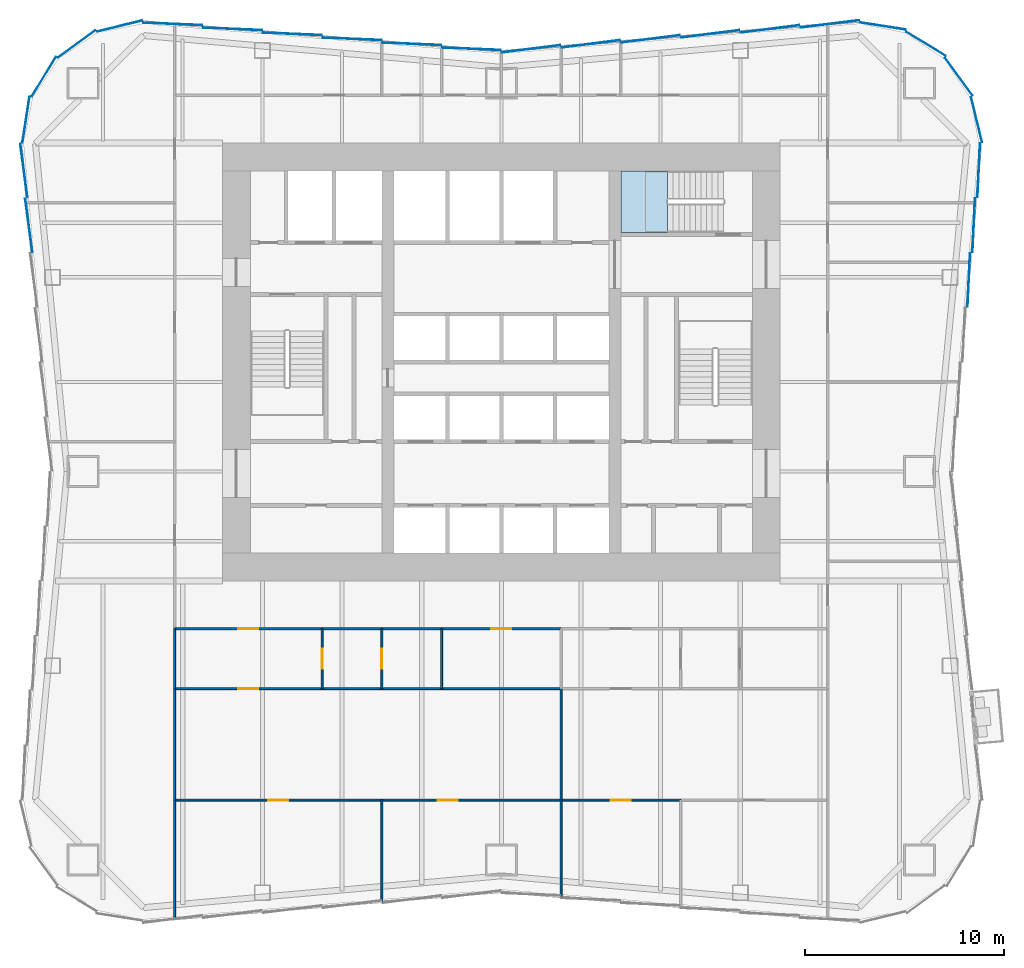
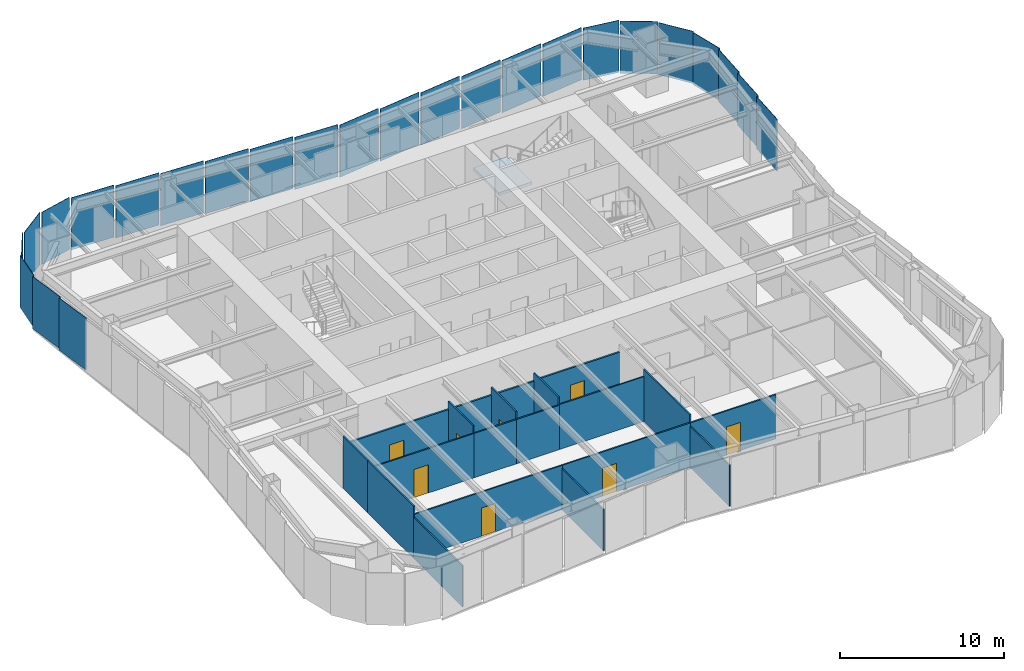
# One storey, part 3 of 9: 25 plates, 20 walls, 8 doors, 1 slab, 8 openings, 6 elements without a shape of their own.
"""IFC4 building model written with IfcOpenShell, lengths in metres."""

from ifc_helpers import new_model, si_unit, direction, frame, frame_2d, origin, origin_2d, place, context, subcontext, project, spatial, polyline, rectangle, outline, extrude, material, layer, layer_set, type_object, element, fill, aggregate, save


model = new_model("IFC4")

# Units and contexts
model_context = context("Model", 3, precision=1e-05, world=origin(), true_north=direction((0.0, 1.0)))
body_context = subcontext(model_context, "Body", "Model", "MODEL_VIEW")
ifc_project = project(units=[si_unit("LENGTHUNIT", "METRE"), si_unit("AREAUNIT", "SQUARE_METRE"), si_unit("VOLUMEUNIT", "CUBIC_METRE"), si_unit("PLANEANGLEUNIT", "RADIAN"), si_unit("MASSUNIT", "GRAM", prefix="KILO")], contexts=[model_context])

# Site, building, storey
site_placement = place(None, origin())
site = spatial("IfcSite", under=ifc_project, at=site_placement, CompositionType="ELEMENT")
building_placement = place(site_placement, origin())
building = spatial("IfcBuilding", under=site, at=building_placement, Name="Verdant Reach Tower", CompositionType="ELEMENT")
storey_placement = place(building_placement, frame((0.0, 0.0, 30.0)))
storey = spatial("IfcBuildingStorey", under=building, at=storey_placement, Name="L06", CompositionType="ELEMENT", Elevation=30.0)

# Stair, slab
ifc_material_1 = material(Name="Concrete C40/50", Category="concrete")
stair_type = type_object("IfcStairType", Name="CO-STAIR", PredefinedType="HALF_TURN_STAIR", material=ifc_material_1)
stair_placement = place(storey_placement, origin())
stair = element("IfcStair", 1, at=stair_placement, inside=storey, type_object=stair_type, Name="L06 Exit stair 3", PredefinedType="HALF_TURN_STAIR")
ifc_layer_1 = layer(ifc_material_1, 0.199951171875)
ifc_layer_set_1 = layer_set([ifc_layer_1], Name="CO-STAIR-LANDING")
slab_type = type_object("IfcSlabType", Name="CO-STAIR-LANDING", PredefinedType="LANDING", material=ifc_layer_set_1)
slab_placement = place(storey_placement, frame((0.0, 0.0, 1.800048828125)))
slab = element("IfcSlab", 2, at=slab_placement, type_object=slab_type, Name="ST-3 landing 1", PredefinedType="LANDING", context=body_context, shape_type="SweptSolid", body=[
    extrude(outline(polyline([(8.35009765625, 37.60009765625), (6.0, 37.60009765625), (6.0, 34.5), (8.35009765625, 34.5), (8.35009765625, 37.60009765625)])), origin(), (0.0, 0.0, 1.0), 0.199951171875),
])
aggregate(stair, [slab])

# Curtain wall, plate
ifc_material_2 = material(Name="Anodised aluminium", Category="aluminium")
curtain_wall_type = type_object("IfcCurtainWallType", Name="EN-CW SYSTEM Z0", PredefinedType="NOTDEFINED", material=ifc_material_2)
curtain_wall_1_placement = place(storey_placement, origin())
curtain_wall_1 = element("IfcCurtainWall", 3, at=curtain_wall_1_placement, inside=storey, type_object=curtain_wall_type, Name="Curtain wall east, L06", PredefinedType="NOTDEFINED")
ifc_material_3 = material(Name="Tinted glass with champagne spandrel", Category="glass")
ifc_layer_2 = layer(ifc_material_3, 0.031982421875)
ifc_layer_set_2 = layer_set([ifc_layer_2], Name="EN-PANEL CHAMPAGNE")
plate_type_1 = type_object("IfcPlateType", Name="EN-PANEL CHAMPAGNE", PredefinedType="CURTAIN_PANEL", material=ifc_layer_set_2)
plate_1_placement = place(storey_placement, frame((23.474609375, 32.115966796875, -0.22998046875), z_axis=(0.0, 0.0, 1.0), x_axis=(0.04875265175, 0.998810882473, 0.0)))
plate_1 = element("IfcPlate", 4, at=plate_1_placement, type_object=plate_type_1, Name="Glass panel east face part 2 4.1, L06", PredefinedType="CURTAIN_PANEL", context=body_context, shape_type="SweptSolid", body=[
    extrude(rectangle(XDim=2.705322265625, YDim=0.031982421875, at=origin_2d()), origin(), (0.0, 0.0, 1.0), 3.8798828125),
])

# Curtain wall, plates
curtain_wall_2_placement = place(storey_placement, origin())
curtain_wall_2 = element("IfcCurtainWall", 5, at=curtain_wall_2_placement, inside=storey, type_object=curtain_wall_type, Name="Curtain wall north-east corner, L06", PredefinedType="NOTDEFINED")
plate_2_placement = place(storey_placement, frame((23.86767578125, 40.169921875, -0.22998046875), z_axis=(0.0, 0.0, 1.0), x_axis=(-0.236346786246, 0.97166876899, 0.0)))
plate_2 = element("IfcPlate", 6, at=plate_2_placement, type_object=plate_type_1, Name="Glass panel north-east corner 1.1, L06", PredefinedType="CURTAIN_PANEL", context=body_context, shape_type="SweptSolid", body=[
    extrude(rectangle(XDim=2.31884765625, YDim=0.031982421875, at=origin_2d()), origin(), (0.0, 0.0, 1.0), 3.8798828125),
])
plate_3_placement = place(storey_placement, frame((22.974609375, 42.32373046875, -0.22998046875), z_axis=(0.0, 0.0, 1.0), x_axis=(-0.589926778461, 0.807456745624, 0.0)))
plate_3 = element("IfcPlate", 7, at=plate_3_placement, type_object=plate_type_1, Name="Glass panel north-east corner 2.1, L06", PredefinedType="CURTAIN_PANEL", context=body_context, shape_type="SweptSolid", body=[
    extrude(rectangle(XDim=2.32421875, YDim=0.031982421875, at=origin_2d()), origin(), (0.0, 0.0, 1.0), 3.8798828125),
])

curtain_wall_3_placement = place(storey_placement, origin())
curtain_wall_3 = element("IfcCurtainWall", 8, at=curtain_wall_3_placement, inside=storey, type_object=curtain_wall_type, Name="Curtain wall north, L06", PredefinedType="NOTDEFINED")
plate_4_placement = place(storey_placement, frame((1.495849609375, 43.724853515625, -0.22998046875), z_axis=(0.0, 0.0, 1.0), x_axis=(-0.992179679439, -0.124817802047, 0.0)))
plate_4 = element("IfcPlate", 9, at=plate_4_placement, type_object=plate_type_1, Name="Glass panel north face part 1 6.1, L06", PredefinedType="CURTAIN_PANEL", context=body_context, shape_type="SweptSolid", body=[
    extrude(rectangle(XDim=2.946044921875, YDim=0.031982421875, at=origin_2d()), origin(), (0.0, 0.0, 1.0), 3.8798828125),
])
plate_5_placement = place(storey_placement, frame((-1.495849609375, 43.724853515625, -0.22998046875), z_axis=(0.0, 0.0, 1.0), x_axis=(-0.999144450138, 0.041356592674, 0.0)))
plate_5 = element("IfcPlate", 10, at=plate_5_placement, type_object=plate_type_1, Name="Glass panel north face part 2 1.1, L06", PredefinedType="CURTAIN_PANEL", context=body_context, shape_type="SweptSolid", body=[
    extrude(rectangle(XDim=2.946044921875, YDim=0.031982421875, at=origin_2d()), origin(), (0.0, 0.0, 1.0), 3.8798828125),
])
plate_6_placement = place(storey_placement, frame((-4.49169921875, 43.974609375, -0.22998046875), z_axis=(0.0, 0.0, 1.0), x_axis=(-0.999149202059, 0.041241629766, 0.0)))
plate_6 = element("IfcPlate", 11, at=plate_6_placement, type_object=plate_type_1, Name="Glass panel north face part 2 2.1, L06", PredefinedType="CURTAIN_PANEL", context=body_context, shape_type="SweptSolid", body=[
    extrude(rectangle(XDim=2.954345703125, YDim=0.031982421875, at=origin_2d()), origin(), (0.0, 0.0, 1.0), 3.8798828125),
])

# Plate
ifc_material_4 = material(Name="Tinted glass with copper spandrel", Category="glass")
ifc_layer_3 = layer(ifc_material_4, 0.031982421875)
ifc_layer_set_3 = layer_set([ifc_layer_3], Name="EN-PANEL COPPER")
plate_type_2 = type_object("IfcPlateType", Name="EN-PANEL COPPER", PredefinedType="CURTAIN_PANEL", material=ifc_layer_set_3)
plate_7_placement = place(storey_placement, frame((23.724609375, 34.865966796875, -0.22998046875), z_axis=(0.0, 0.0, 1.0), x_axis=(0.04875265175, 0.998810882473, 0.0)))
plate_7 = element("IfcPlate", 12, at=plate_7_placement, type_object=plate_type_2, Name="Glass panel east face part 2 5.1, L06", PredefinedType="CURTAIN_PANEL", context=body_context, shape_type="SweptSolid", body=[
    extrude(rectangle(XDim=2.705322265625, YDim=0.031982421875, at=origin_2d()), origin(), (0.0, 0.0, 1.0), 3.8798828125),
])

plate_8_placement = place(storey_placement, frame((23.974609375, 37.623046875, -0.22998046875), z_axis=(0.0, 0.0, 1.0), x_axis=(0.048382779248, 0.998828867561, 0.0)))
plate_8 = element("IfcPlate", 13, at=plate_8_placement, type_object=plate_type_2, Name="Glass panel east face part 2 6.1, L06", PredefinedType="CURTAIN_PANEL", context=body_context, shape_type="SweptSolid", body=[
    extrude(rectangle(XDim=2.7197265625, YDim=0.031982421875, at=origin_2d()), origin(), (0.0, 0.0, 1.0), 3.8798828125),
])

aggregate(curtain_wall_1, [plate_1, plate_7, plate_8])

plate_9_placement = place(storey_placement, frame((21.32373046875, 43.974609375, -0.22998046875), z_axis=(0.0, 0.0, 1.0), x_axis=(-0.853988681713, 0.520291583159, 0.0)))
plate_9 = element("IfcPlate", 14, at=plate_9_placement, type_object=plate_type_2, Name="Glass panel north-east corner 3.1, L06", PredefinedType="CURTAIN_PANEL", context=body_context, shape_type="SweptSolid", body=[
    extrude(rectangle(XDim=2.32421875, YDim=0.031982421875, at=origin_2d()), origin(), (0.0, 0.0, 1.0), 3.8798828125),
])

plate_10_placement = place(storey_placement, frame((19.169921875, 44.86767578125, -0.22998046875), z_axis=(0.0, 0.0, 1.0), x_axis=(-0.98803452381, 0.154232875093, 0.0)))
plate_10 = element("IfcPlate", 15, at=plate_10_placement, type_object=plate_type_2, Name="Glass panel north-east corner 4.1, L06", PredefinedType="CURTAIN_PANEL", context=body_context, shape_type="SweptSolid", body=[
    extrude(rectangle(XDim=2.318603515625, YDim=0.031982421875, at=origin_2d()), origin(), (0.0, 0.0, 1.0), 3.8798828125),
])

aggregate(curtain_wall_2, [plate_2, plate_3, plate_9, plate_10])

plate_11_placement = place(storey_placement, frame((16.498779296875, 44.974853515625, -0.22998046875), z_axis=(0.0, 0.0, 1.0), x_axis=(-0.992234176789, -0.124383835008, 0.0)))
plate_11 = element("IfcPlate", 16, at=plate_11_placement, type_object=plate_type_2, Name="Glass panel north face part 1 1.1, L06", PredefinedType="CURTAIN_PANEL", context=body_context, shape_type="SweptSolid", body=[
    extrude(rectangle(XDim=2.96826171875, YDim=0.031982421875, at=origin_2d()), origin(), (0.0, 0.0, 1.0), 3.8798828125),
])

plate_12_placement = place(storey_placement, frame((13.49169921875, 44.724609375, -0.22998046875), z_axis=(0.0, 0.0, 1.0), x_axis=(-0.992194034542, -0.124703639961, 0.0)))
plate_12 = element("IfcPlate", 17, at=plate_12_placement, type_object=plate_type_2, Name="Glass panel north face part 1 2.1, L06", PredefinedType="CURTAIN_PANEL", context=body_context, shape_type="SweptSolid", body=[
    extrude(rectangle(XDim=2.954345703125, YDim=0.031982421875, at=origin_2d()), origin(), (0.0, 0.0, 1.0), 3.8798828125),
])

plate_13_placement = place(storey_placement, frame((10.49169921875, 44.474609375, -0.22998046875), z_axis=(0.0, 0.0, 1.0), x_axis=(-0.992194034542, -0.124703639961, 0.0)))
plate_13 = element("IfcPlate", 18, at=plate_13_placement, type_object=plate_type_2, Name="Glass panel north face part 1 3.1, L06", PredefinedType="CURTAIN_PANEL", context=body_context, shape_type="SweptSolid", body=[
    extrude(rectangle(XDim=2.954345703125, YDim=0.031982421875, at=origin_2d()), origin(), (0.0, 0.0, 1.0), 3.8798828125),
])

plate_14_placement = place(storey_placement, frame((-7.49169921875, 44.224609375, -0.22998046875), z_axis=(0.0, 0.0, 1.0), x_axis=(-0.999149202059, 0.041241629766, 0.0)))
plate_14 = element("IfcPlate", 19, at=plate_14_placement, type_object=plate_type_2, Name="Glass panel north face part 2 3.1, L06", PredefinedType="CURTAIN_PANEL", context=body_context, shape_type="SweptSolid", body=[
    extrude(rectangle(XDim=2.954345703125, YDim=0.031982421875, at=origin_2d()), origin(), (0.0, 0.0, 1.0), 3.8798828125),
])

plate_15_placement = place(storey_placement, frame((-10.49169921875, 44.474609375, -0.22998046875), z_axis=(0.0, 0.0, 1.0), x_axis=(-0.999149202059, 0.041241629766, 0.0)))
plate_15 = element("IfcPlate", 20, at=plate_15_placement, type_object=plate_type_2, Name="Glass panel north face part 2 4.1, L06", PredefinedType="CURTAIN_PANEL", context=body_context, shape_type="SweptSolid", body=[
    extrude(rectangle(XDim=2.954345703125, YDim=0.031982421875, at=origin_2d()), origin(), (0.0, 0.0, 1.0), 3.8798828125),
])

# Curtain wall, plates
curtain_wall_4_placement = place(storey_placement, origin())
curtain_wall_4 = element("IfcCurtainWall", 21, at=curtain_wall_4_placement, inside=storey, type_object=curtain_wall_type, Name="Curtain wall north-west corner, L06", PredefinedType="NOTDEFINED")
plate_16_placement = place(storey_placement, frame((-19.169921875, 44.86767578125, -0.22998046875), z_axis=(0.0, 0.0, 1.0), x_axis=(-0.97166347331, -0.236368556782, 0.0)))
plate_16 = element("IfcPlate", 22, at=plate_16_placement, type_object=plate_type_2, Name="Glass panel north-west corner 1.1, L06", PredefinedType="CURTAIN_PANEL", context=body_context, shape_type="SweptSolid", body=[
    extrude(rectangle(XDim=2.318603515625, YDim=0.031982421875, at=origin_2d()), origin(), (0.0, 0.0, 1.0), 3.8798828125),
])
plate_17_placement = place(storey_placement, frame((-21.32373046875, 43.974609375, -0.22998046875), z_axis=(0.0, 0.0, 1.0), x_axis=(-0.807456745624, -0.589926778461, 0.0)))
plate_17 = element("IfcPlate", 23, at=plate_17_placement, type_object=plate_type_2, Name="Glass panel north-west corner 2.1, L06", PredefinedType="CURTAIN_PANEL", context=body_context, shape_type="SweptSolid", body=[
    extrude(rectangle(XDim=2.32421875, YDim=0.031982421875, at=origin_2d()), origin(), (0.0, 0.0, 1.0), 3.8798828125),
])
plate_18_placement = place(storey_placement, frame((-22.974609375, 42.32373046875, -0.22998046875), z_axis=(0.0, 0.0, 1.0), x_axis=(-0.520291583159, -0.853988681713, 0.0)))
plate_18 = element("IfcPlate", 24, at=plate_18_placement, type_object=plate_type_2, Name="Glass panel north-west corner 3.1, L06", PredefinedType="CURTAIN_PANEL", context=body_context, shape_type="SweptSolid", body=[
    extrude(rectangle(XDim=2.32421875, YDim=0.031982421875, at=origin_2d()), origin(), (0.0, 0.0, 1.0), 3.8798828125),
])

# Curtain wall, plate
curtain_wall_5_placement = place(storey_placement, origin())
curtain_wall_5 = element("IfcCurtainWall", 25, at=curtain_wall_5_placement, inside=storey, type_object=curtain_wall_type, Name="Curtain wall west, L06", PredefinedType="NOTDEFINED")
plate_19_placement = place(storey_placement, frame((-23.974609375, 37.623046875, -0.22998046875), z_axis=(0.0, 0.0, 1.0), x_axis=(0.131792939527, -0.991277267514, 0.0)))
plate_19 = element("IfcPlate", 26, at=plate_19_placement, type_object=plate_type_2, Name="Glass panel west face part 1 1.1, L06", PredefinedType="CURTAIN_PANEL", context=body_context, shape_type="SweptSolid", body=[
    extrude(rectangle(XDim=2.7197265625, YDim=0.031982421875, at=origin_2d()), origin(), (0.0, 0.0, 1.0), 3.8798828125),
])

# Plate
ifc_material_5 = material(Name="Tinted glass with dark bronze spandrel", Category="glass")
ifc_layer_4 = layer(ifc_material_5, 0.031982421875)
ifc_layer_set_4 = layer_set([ifc_layer_4], Name="EN-PANEL DARK")
plate_type_3 = type_object("IfcPlateType", Name="EN-PANEL DARK", PredefinedType="CURTAIN_PANEL", material=ifc_layer_set_4)
plate_20_placement = place(storey_placement, frame((7.49169921875, 44.224609375, -0.22998046875), z_axis=(0.0, 0.0, 1.0), x_axis=(-0.992194034542, -0.124703639961, 0.0)))
plate_20 = element("IfcPlate", 27, at=plate_20_placement, type_object=plate_type_3, Name="Glass panel north face part 1 4.1, L06", PredefinedType="CURTAIN_PANEL", context=body_context, shape_type="SweptSolid", body=[
    extrude(rectangle(XDim=2.954345703125, YDim=0.031982421875, at=origin_2d()), origin(), (0.0, 0.0, 1.0), 3.8798828125),
])

plate_21_placement = place(storey_placement, frame((4.49169921875, 43.974609375, -0.22998046875), z_axis=(0.0, 0.0, 1.0), x_axis=(-0.992194034542, -0.124703639961, 0.0)))
plate_21 = element("IfcPlate", 28, at=plate_21_placement, type_object=plate_type_3, Name="Glass panel north face part 1 5.1, L06", PredefinedType="CURTAIN_PANEL", context=body_context, shape_type="SweptSolid", body=[
    extrude(rectangle(XDim=2.954345703125, YDim=0.031982421875, at=origin_2d()), origin(), (0.0, 0.0, 1.0), 3.8798828125),
])

plate_22_placement = place(storey_placement, frame((-13.49169921875, 44.724609375, -0.22998046875), z_axis=(0.0, 0.0, 1.0), x_axis=(-0.999149202059, 0.041241629766, 0.0)))
plate_22 = element("IfcPlate", 29, at=plate_22_placement, type_object=plate_type_3, Name="Glass panel north face part 2 5.1, L06", PredefinedType="CURTAIN_PANEL", context=body_context, shape_type="SweptSolid", body=[
    extrude(rectangle(XDim=2.954345703125, YDim=0.031982421875, at=origin_2d()), origin(), (0.0, 0.0, 1.0), 3.8798828125),
])

plate_23_placement = place(storey_placement, frame((-16.498779296875, 44.974853515625, -0.22998046875), z_axis=(0.0, 0.0, 1.0), x_axis=(-0.999162442933, 0.040919587398, 0.0)))
plate_23 = element("IfcPlate", 30, at=plate_23_placement, type_object=plate_type_3, Name="Glass panel north face part 2 6.1, L06", PredefinedType="CURTAIN_PANEL", context=body_context, shape_type="SweptSolid", body=[
    extrude(rectangle(XDim=2.96826171875, YDim=0.031982421875, at=origin_2d()), origin(), (0.0, 0.0, 1.0), 3.8798828125),
])

aggregate(curtain_wall_3, [plate_11, plate_12, plate_13, plate_20, plate_21, plate_4, plate_5, plate_6, plate_14, plate_15, plate_22, plate_23])

plate_24_placement = place(storey_placement, frame((-23.86767578125, 40.169921875, -0.22998046875), z_axis=(0.0, 0.0, 1.0), x_axis=(-0.154210737778, -0.988037979206, 0.0)))
plate_24 = element("IfcPlate", 31, at=plate_24_placement, type_object=plate_type_3, Name="Glass panel north-west corner 4.1, L06", PredefinedType="CURTAIN_PANEL", context=body_context, shape_type="SweptSolid", body=[
    extrude(rectangle(XDim=2.31884765625, YDim=0.031982421875, at=origin_2d()), origin(), (0.0, 0.0, 1.0), 3.8798828125),
])

aggregate(curtain_wall_4, [plate_16, plate_17, plate_18, plate_24])

plate_25_placement = place(storey_placement, frame((-23.724609375, 34.865966796875, -0.22998046875), z_axis=(0.0, 0.0, 1.0), x_axis=(0.132160009881, -0.99122839537, 0.0)))
plate_25 = element("IfcPlate", 32, at=plate_25_placement, type_object=plate_type_3, Name="Glass panel west face part 1 2.1, L06", PredefinedType="CURTAIN_PANEL", context=body_context, shape_type="SweptSolid", body=[
    extrude(rectangle(XDim=2.705322265625, YDim=0.031982421875, at=origin_2d()), origin(), (0.0, 0.0, 1.0), 3.8798828125),
])

aggregate(curtain_wall_5, [plate_19, plate_25])

# Wall, opening, door
ifc_material_6 = material(Name="Gypsum board on steel studs", Category="steel")
ifc_layer_5 = layer(ifc_material_6, 0.10009765625)
ifc_layer_set_5 = layer_set([ifc_layer_5], Name="FL-W1 Partition 100")
wall_type_1 = type_object("IfcWallType", Name="FL-W1 Partition 100", PredefinedType="PARTITIONING", material=ifc_layer_set_5)
wall_1_placement = place(storey_placement, frame((-9.0, 14.60009765625, 0.0), z_axis=(0.0, 0.0, 1.0), x_axis=(0.0, -1.0, 0.0)))
wall_1 = element("IfcWall", 33, at=wall_1_placement, inside=storey, type_object=wall_type_1, Name="Partition 06.22", PredefinedType="PARTITIONING", context=body_context, shape_type="SweptSolid", body=[
    extrude(rectangle(XDim=3.0, YDim=0.10009765625, at=frame_2d((1.5, 0.0))), origin(), (0.0, 0.0, 1.0), 3.8701171875),
])
opening_1_placement = place(wall_1_placement, frame((1.0, 0.0, 0.0)))
opening_1 = element("IfcOpeningElement", 34, at=opening_1_placement, cuts=wall_1, Name="Opening D3", PredefinedType="OPENING", context=body_context, shape_type="SweptSolid", body=[
    extrude(rectangle(XDim=1.0, YDim=2.10009765625, at=frame_2d((0.5, 1.050048828125))), frame((0.0, 0.06005859375, 0.0), z_axis=(0.0, -1.0, 0.0), x_axis=(1.0, 0.0, 0.0)), (0.0, 0.0, 1.0), 0.1201171875),
])
ifc_material_7 = material(Name="Painted timber door leaf", Category="wood")
door_type_1 = type_object("IfcDoorType", Name="FL-D3 Door 1000x2100", OperationType="NOTDEFINED", PredefinedType="DOOR", material=ifc_material_7)
door_1_placement = place(opening_1_placement, origin())
door_1 = element("IfcDoor", 35, at=door_1_placement, inside=storey, type_object=door_type_1, Name="Door 06-018", OperationType="SINGLE_SWING_RIGHT", OverallHeight=2.10009765625, OverallWidth=1.0, PredefinedType="DOOR", context=body_context, shape_type="SweptSolid", body=[
    extrude(rectangle(XDim=1.0, YDim=2.10009765625, at=frame_2d((0.5, 1.050048828125))), frame((0.0, 0.02490234375, 0.0), z_axis=(0.0, -1.0, 0.0), x_axis=(1.0, 0.0, 0.0)), (0.0, 0.0, 1.0), 0.050048828125),
])
fill(opening_1, door_1)

wall_2_placement = place(storey_placement, frame((-8.99609375, 11.60009765625, 0.0), z_axis=(0.0, 0.0, 1.0), x_axis=(-1.0, 0.0, 0.0)))
wall_2 = element("IfcWall", 36, at=wall_2_placement, inside=storey, type_object=wall_type_1, Name="Partition 06.23", PredefinedType="PARTITIONING", context=body_context, shape_type="SweptSolid", body=[
    extrude(rectangle(XDim=7.40380859375, YDim=0.10009765625, at=frame_2d((3.701904296875, 0.0))), origin(), (0.0, 0.0, 1.0), 3.2900390625),
])
opening_2_placement = place(wall_2_placement, frame((3.201904296875, 0.0, 0.0)))
opening_2 = element("IfcOpeningElement", 37, at=opening_2_placement, cuts=wall_2, Name="Opening D3", PredefinedType="OPENING", context=body_context, shape_type="SweptSolid", body=[
    extrude(rectangle(XDim=1.0, YDim=2.10009765625, at=frame_2d((0.5, 1.050048828125))), frame((0.0, 0.06005859375, 0.0), z_axis=(0.0, -1.0, 0.0), x_axis=(1.0, 0.0, 0.0)), (0.0, 0.0, 1.0), 0.1201171875),
])
door_2_placement = place(opening_2_placement, origin())
door_2 = element("IfcDoor", 38, at=door_2_placement, inside=storey, type_object=door_type_1, Name="Door 06-019", OperationType="SINGLE_SWING_LEFT", OverallHeight=2.10009765625, OverallWidth=1.0, PredefinedType="DOOR", context=body_context, shape_type="SweptSolid", body=[
    extrude(rectangle(XDim=1.0, YDim=2.10009765625, at=frame_2d((0.5, 1.050048828125))), frame((0.0, 0.02490234375, 0.0), z_axis=(0.0, -1.0, 0.0), x_axis=(1.0, 0.0, 0.0)), (0.0, 0.0, 1.0), 0.050048828125),
])
fill(opening_2, door_2)

# Wall
wall_3_placement = place(storey_placement, frame((-16.39990234375, 14.60400390625, 0.0), z_axis=(0.0, 0.0, 1.0), x_axis=(0.0, -1.0, 0.0)))
element("IfcWall", 39, at=wall_3_placement, inside=storey, type_object=wall_type_1, Name="Partition 06.24", PredefinedType="PARTITIONING", context=body_context, shape_type="SweptSolid", body=[
    extrude(rectangle(XDim=3.008056640625, YDim=0.10009765625, at=frame_2d((1.50390625, 0.0))), origin(), (0.0, 0.0, 1.0), 3.8701171875),
])

# Wall, opening, door
wall_4_placement = place(storey_placement, frame((-6.0, 14.60009765625, 0.0), z_axis=(0.0, 0.0, 1.0), x_axis=(0.0, -1.0, 0.0)))
wall_4 = element("IfcWall", 40, at=wall_4_placement, inside=storey, type_object=wall_type_1, Name="Partition 06.25", PredefinedType="PARTITIONING", context=body_context, shape_type="SweptSolid", body=[
    extrude(rectangle(XDim=3.0, YDim=0.10009765625, at=frame_2d((1.5, 0.0))), origin(), (0.0, 0.0, 1.0), 3.8701171875),
])
opening_3_placement = place(wall_4_placement, frame((1.0, 0.0, 0.0)))
opening_3 = element("IfcOpeningElement", 41, at=opening_3_placement, cuts=wall_4, Name="Opening D3", PredefinedType="OPENING", context=body_context, shape_type="SweptSolid", body=[
    extrude(rectangle(XDim=1.0, YDim=2.10009765625, at=frame_2d((0.5, 1.050048828125))), frame((0.0, 0.06005859375, 0.0), z_axis=(0.0, -1.0, 0.0), x_axis=(1.0, 0.0, 0.0)), (0.0, 0.0, 1.0), 0.1201171875),
])
door_3_placement = place(opening_3_placement, origin())
door_3 = element("IfcDoor", 42, at=door_3_placement, inside=storey, type_object=door_type_1, Name="Door 06-020", OperationType="SINGLE_SWING_RIGHT", OverallHeight=2.10009765625, OverallWidth=1.0, PredefinedType="DOOR", context=body_context, shape_type="SweptSolid", body=[
    extrude(rectangle(XDim=1.0, YDim=2.10009765625, at=frame_2d((0.5, 1.050048828125))), frame((0.0, 0.02490234375, 0.0), z_axis=(0.0, -1.0, 0.0), x_axis=(1.0, 0.0, 0.0)), (0.0, 0.0, 1.0), 0.050048828125),
])
fill(opening_3, door_3)

# Walls
wall_5_placement = place(storey_placement, frame((-9.00390625, 11.60009765625, 0.0), z_axis=(0.0, 0.0, 1.0), x_axis=(1.0, 0.0, 0.0)))
element("IfcWall", 43, at=wall_5_placement, inside=storey, type_object=wall_type_1, Name="Partition 06.26", PredefinedType="PARTITIONING", context=body_context, shape_type="SweptSolid", body=[
    extrude(rectangle(XDim=3.0078125, YDim=0.10009765625, at=frame_2d((1.50390625, 0.0))), origin(), (0.0, 0.0, 1.0), 3.2900390625),
])
wall_6_placement = place(storey_placement, frame((-3.0, 11.60009765625, 0.0), z_axis=(0.0, 0.0, 1.0), x_axis=(0.0, 1.0, 0.0)))
element("IfcWall", 44, at=wall_6_placement, inside=storey, type_object=wall_type_1, Name="Partition 06.27", PredefinedType="PARTITIONING", context=body_context, shape_type="SweptSolid", body=[
    extrude(rectangle(XDim=3.0, YDim=0.10009765625, at=frame_2d((1.5, 0.0))), origin(), (0.0, 0.0, 1.0), 3.8701171875),
])
wall_7_placement = place(storey_placement, frame((-6.00390625, 11.60009765625, 0.0), z_axis=(0.0, 0.0, 1.0), x_axis=(1.0, 0.0, 0.0)))
element("IfcWall", 45, at=wall_7_placement, inside=storey, type_object=wall_type_1, Name="Partition 06.28", PredefinedType="PARTITIONING", context=body_context, shape_type="SweptSolid", body=[
    extrude(rectangle(XDim=3.0078125, YDim=0.10009765625, at=frame_2d((1.50390625, 0.0))), origin(), (0.0, 0.0, 1.0), 3.2900390625),
])
wall_8_placement = place(storey_placement, frame((-3.00390625, 11.60009765625, 0.0), z_axis=(0.0, 0.0, 1.0), x_axis=(1.0, 0.0, 0.0)))
element("IfcWall", 46, at=wall_8_placement, inside=storey, type_object=wall_type_1, Name="Partition 06.29", PredefinedType="PARTITIONING", context=body_context, shape_type="SweptSolid", body=[
    extrude(rectangle(XDim=6.00390625, YDim=0.10009765625, at=frame_2d((3.001953125, 0.0))), origin(), (0.0, 0.0, 1.0), 3.340087890625),
])

# Wall, opening, door
wall_9_placement = place(storey_placement, frame((-6.0, 6.0, 0.0), z_axis=(0.0, 0.0, 1.0), x_axis=(-1.0, 0.0, 0.0)))
wall_9 = element("IfcWall", 47, at=wall_9_placement, inside=storey, type_object=wall_type_1, Name="Partition 06.31", PredefinedType="PARTITIONING", context=body_context, shape_type="SweptSolid", body=[
    extrude(rectangle(XDim=10.39990234375, YDim=0.10009765625, at=frame_2d((5.199951171875, 0.0))), origin(), (0.0, 0.0, 1.0), 3.2900390625),
])
opening_4_placement = place(wall_9_placement, frame((4.699951171875, 0.0, 0.0)))
opening_4 = element("IfcOpeningElement", 48, at=opening_4_placement, cuts=wall_9, Name="Opening D3", PredefinedType="OPENING", context=body_context, shape_type="SweptSolid", body=[
    extrude(rectangle(XDim=1.0, YDim=2.10009765625, at=frame_2d((0.5, 1.050048828125))), frame((0.0, 0.06005859375, 0.0), z_axis=(0.0, -1.0, 0.0), x_axis=(1.0, 0.0, 0.0)), (0.0, 0.0, 1.0), 0.1201171875),
])
door_4_placement = place(opening_4_placement, origin())
door_4 = element("IfcDoor", 49, at=door_4_placement, inside=storey, type_object=door_type_1, Name="Door 06-021", OperationType="SINGLE_SWING_LEFT", OverallHeight=2.10009765625, OverallWidth=1.0, PredefinedType="DOOR", context=body_context, shape_type="SweptSolid", body=[
    extrude(rectangle(XDim=1.0, YDim=2.10009765625, at=frame_2d((0.5, 1.050048828125))), frame((0.0, 0.02490234375, 0.0), z_axis=(0.0, -1.0, 0.0), x_axis=(1.0, 0.0, 0.0)), (0.0, 0.0, 1.0), 0.050048828125),
])
fill(opening_4, door_4)

wall_10_placement = place(storey_placement, frame((3.0, 6.0, 0.0), z_axis=(0.0, 0.0, 1.0), x_axis=(-1.0, 0.0, 0.0)))
wall_10 = element("IfcWall", 50, at=wall_10_placement, inside=storey, type_object=wall_type_1, Name="Partition 06.32", PredefinedType="PARTITIONING", context=body_context, shape_type="SweptSolid", body=[
    extrude(rectangle(XDim=9.0, YDim=0.10009765625, at=frame_2d((4.5, 0.0))), origin(), (0.0, 0.0, 1.0), 3.2900390625),
])
opening_5_placement = place(wall_10_placement, frame((5.199951171875, 0.0, 0.0)))
opening_5 = element("IfcOpeningElement", 51, at=opening_5_placement, cuts=wall_10, Name="Opening D3", PredefinedType="OPENING", context=body_context, shape_type="SweptSolid", body=[
    extrude(rectangle(XDim=1.0, YDim=2.10009765625, at=frame_2d((0.5, 1.050048828125))), frame((0.0, 0.06005859375, 0.0), z_axis=(0.0, -1.0, 0.0), x_axis=(1.0, 0.0, 0.0)), (0.0, 0.0, 1.0), 0.1201171875),
])
door_5_placement = place(opening_5_placement, origin())
door_5 = element("IfcDoor", 52, at=door_5_placement, inside=storey, type_object=door_type_1, Name="Door 06-022", OperationType="SINGLE_SWING_RIGHT", OverallHeight=2.10009765625, OverallWidth=1.0, PredefinedType="DOOR", context=body_context, shape_type="SweptSolid", body=[
    extrude(rectangle(XDim=1.0, YDim=2.10009765625, at=frame_2d((0.5, 1.050048828125))), frame((0.0, 0.02490234375, 0.0), z_axis=(0.0, -1.0, 0.0), x_axis=(1.0, 0.0, 0.0)), (0.0, 0.0, 1.0), 0.050048828125),
])
fill(opening_5, door_5)

# Walls
wall_11_placement = place(storey_placement, frame((3.0, 6.0, 0.0), z_axis=(0.0, 0.0, 1.0), x_axis=(0.0, 1.0, 0.0)))
element("IfcWall", 53, at=wall_11_placement, inside=storey, type_object=wall_type_1, Name="Partition 06.33", PredefinedType="PARTITIONING", context=body_context, shape_type="SweptSolid", body=[
    extrude(rectangle(XDim=5.60009765625, YDim=0.10009765625, at=frame_2d((2.800048828125, 0.0))), origin(), (0.0, 0.0, 1.0), 3.8701171875),
])
wall_12_placement = place(storey_placement, frame((-16.39990234375, 11.60400390625, 0.0), z_axis=(0.0, 0.0, 1.0), x_axis=(0.0, -1.0, 0.0)))
element("IfcWall", 54, at=wall_12_placement, inside=storey, type_object=wall_type_1, Name="Partition 06.34", PredefinedType="PARTITIONING", context=body_context, shape_type="SweptSolid", body=[
    extrude(rectangle(XDim=5.60791015625, YDim=0.10009765625, at=frame_2d((2.803955078125, 0.0))), origin(), (0.0, 0.0, 1.0), 3.8701171875),
])
wall_13_placement = place(storey_placement, frame((-6.0, 0.919921875, 0.0), z_axis=(0.0, 0.0, 1.0), x_axis=(0.0, 1.0, 0.0)))
element("IfcWall", 55, at=wall_13_placement, inside=storey, type_object=wall_type_1, Name="Partition 06.35", PredefinedType="PARTITIONING", context=body_context, shape_type="SweptSolid", body=[
    extrude(rectangle(XDim=5.080078125, YDim=0.10009765625, at=frame_2d((2.5400390625, 0.0))), origin(), (0.0, 0.0, 1.0), 3.0400390625),
])
wall_14_placement = place(storey_placement, frame((-16.39990234375, 6.00390625, 0.0), z_axis=(0.0, 0.0, 1.0), x_axis=(0.0, -1.0, 0.0)))
element("IfcWall", 56, at=wall_14_placement, inside=storey, type_object=wall_type_1, Name="Partition 06.36", PredefinedType="PARTITIONING", context=body_context, shape_type="SweptSolid", body=[
    extrude(rectangle(XDim=5.95068359375, YDim=0.10009765625, at=frame_2d((2.975341796875, 0.0))), origin(), (0.0, 0.0, 1.0), 3.0400390625),
])
wall_15_placement = place(storey_placement, frame((3.0, 1.169921875, 0.0), z_axis=(0.0, 0.0, 1.0), x_axis=(0.0, 1.0, 0.0)))
element("IfcWall", 57, at=wall_15_placement, inside=storey, type_object=wall_type_1, Name="Partition 06.37", PredefinedType="PARTITIONING", context=body_context, shape_type="SweptSolid", body=[
    extrude(rectangle(XDim=4.830078125, YDim=0.10009765625, at=frame_2d((2.4150390625, 0.0))), origin(), (0.0, 0.0, 1.0), 3.0400390625),
])

# Wall, opening, door
wall_16_placement = place(storey_placement, frame((9.0, 6.0, 0.0), z_axis=(0.0, 0.0, 1.0), x_axis=(-1.0, 0.0, 0.0)))
wall_16 = element("IfcWall", 58, at=wall_16_placement, inside=storey, type_object=wall_type_1, Name="Partition 06.44", PredefinedType="PARTITIONING", context=body_context, shape_type="SweptSolid", body=[
    extrude(rectangle(XDim=6.0, YDim=0.10009765625, at=frame_2d((3.0, 0.0))), origin(), (0.0, 0.0, 1.0), 3.2900390625),
])
opening_6_placement = place(wall_16_placement, frame((2.5, 0.0, 0.0)))
opening_6 = element("IfcOpeningElement", 59, at=opening_6_placement, cuts=wall_16, Name="Opening D3", PredefinedType="OPENING", context=body_context, shape_type="SweptSolid", body=[
    extrude(rectangle(XDim=1.0, YDim=2.10009765625, at=frame_2d((0.5, 1.050048828125))), frame((0.0, 0.06005859375, 0.0), z_axis=(0.0, -1.0, 0.0), x_axis=(1.0, 0.0, 0.0)), (0.0, 0.0, 1.0), 0.1201171875),
])
door_6_placement = place(opening_6_placement, origin())
door_6 = element("IfcDoor", 60, at=door_6_placement, inside=storey, type_object=door_type_1, Name="Door 06-026", OperationType="SINGLE_SWING_RIGHT", OverallHeight=2.10009765625, OverallWidth=1.0, PredefinedType="DOOR", context=body_context, shape_type="SweptSolid", body=[
    extrude(rectangle(XDim=1.0, YDim=2.10009765625, at=frame_2d((0.5, 1.050048828125))), frame((0.0, 0.02490234375, 0.0), z_axis=(0.0, -1.0, 0.0), x_axis=(1.0, 0.0, 0.0)), (0.0, 0.0, 1.0), 0.050048828125),
])
fill(opening_6, door_6)

ifc_material_8 = material(Name="Gypsum board on steel studs, fire rated", Category="steel")
ifc_layer_6 = layer(ifc_material_8, 0.125)
ifc_layer_set_6 = layer_set([ifc_layer_6], Name="FL-W2 Corridor wall 125")
wall_type_2 = type_object("IfcWallType", Name="FL-W2 Corridor wall 125", PredefinedType="PARTITIONING", material=ifc_layer_set_6)
wall_17_placement = place(storey_placement, frame((-9.0, 14.60009765625, 0.0), z_axis=(0.0, 0.0, 1.0), x_axis=(-1.0, 0.0, 0.0)))
wall_17 = element("IfcWall", 61, at=wall_17_placement, inside=storey, type_object=wall_type_2, Name="Partition 06.01", PredefinedType="PARTITIONING", context=body_context, shape_type="SweptSolid", body=[
    extrude(rectangle(XDim=7.39990234375, YDim=0.125, at=frame_2d((3.699951171875, 0.0))), origin(), (0.0, 0.0, 1.0), 3.2900390625),
])
opening_7_placement = place(wall_17_placement, frame((3.199951171875, 0.0, 0.0)))
opening_7 = element("IfcOpeningElement", 62, at=opening_7_placement, cuts=wall_17, Name="Opening D2", PredefinedType="OPENING", context=body_context, shape_type="SweptSolid", body=[
    extrude(rectangle(XDim=1.0, YDim=2.10009765625, at=frame_2d((0.5, 1.050048828125))), frame((0.0, 0.072509765625, 0.0), z_axis=(0.0, -1.0, 0.0), x_axis=(1.0, 0.0, 0.0)), (0.0, 0.0, 1.0), 0.14501953125),
])
ifc_material_9 = material(Name="Timber door leaf, fire rated", Category="wood")
door_type_2 = type_object("IfcDoorType", Name="FL-D2 Entrance door 1000x2100 FD30", OperationType="NOTDEFINED", PredefinedType="DOOR", material=ifc_material_9)
door_7_placement = place(opening_7_placement, origin())
door_7 = element("IfcDoor", 63, at=door_7_placement, inside=storey, type_object=door_type_2, Name="Door 06-001", OperationType="SINGLE_SWING_LEFT", OverallHeight=2.10009765625, OverallWidth=1.0, PredefinedType="DOOR", context=body_context, shape_type="SweptSolid", body=[
    extrude(rectangle(XDim=1.0, YDim=2.10009765625, at=frame_2d((0.5, 1.050048828125))), frame((0.0, 0.02490234375, 0.0), z_axis=(0.0, -1.0, 0.0), x_axis=(1.0, 0.0, 0.0)), (0.0, 0.0, 1.0), 0.050048828125),
])
fill(opening_7, door_7)

# Walls
for number, where, z_axis, x_axis, name in (
    (64, (-9.0, 14.60009765625, 0.0), (0.0, 0.0, 1.0), (1.0, 0.0, 0.0), "Partition 06.02"),
    (65, (-6.0, 14.60009765625, 0.0), (0.0, 0.0, 1.0), (1.0, 0.0, 0.0), "Partition 06.03"),
):
    element("IfcWall", number, at=place(storey_placement, frame(where, z_axis=z_axis, x_axis=x_axis)), inside=storey, type_object=wall_type_2, Name=name, PredefinedType="PARTITIONING", context=body_context, shape_type="SweptSolid", body=[
        extrude(rectangle(XDim=3.0, YDim=0.125, at=frame_2d((1.5, 0.0))), origin(), (0.0, 0.0, 1.0), 3.2900390625),
    ])

# Wall, opening, door
wall_18_placement = place(storey_placement, frame((3.0, 14.60009765625, 0.0), z_axis=(0.0, 0.0, 1.0), x_axis=(-1.0, 0.0, 0.0)))
wall_18 = element("IfcWall", 66, at=wall_18_placement, inside=storey, type_object=wall_type_2, Name="Partition 06.04", PredefinedType="PARTITIONING", context=body_context, shape_type="SweptSolid", body=[
    extrude(rectangle(XDim=6.0, YDim=0.125, at=frame_2d((3.0, 0.0))), origin(), (0.0, 0.0, 1.0), 3.340087890625),
])
opening_8_placement = place(wall_18_placement, frame((2.5, 0.0, 0.0)))
opening_8 = element("IfcOpeningElement", 67, at=opening_8_placement, cuts=wall_18, Name="Opening D2", PredefinedType="OPENING", context=body_context, shape_type="SweptSolid", body=[
    extrude(rectangle(XDim=1.0, YDim=2.10009765625, at=frame_2d((0.5, 1.050048828125))), frame((0.0, 0.072509765625, 0.0), z_axis=(0.0, -1.0, 0.0), x_axis=(1.0, 0.0, 0.0)), (0.0, 0.0, 1.0), 0.14501953125),
])
door_8_placement = place(opening_8_placement, origin())
door_8 = element("IfcDoor", 68, at=door_8_placement, inside=storey, type_object=door_type_2, Name="Door 06-002", OperationType="SINGLE_SWING_RIGHT", OverallHeight=2.10009765625, OverallWidth=1.0, PredefinedType="DOOR", context=body_context, shape_type="SweptSolid", body=[
    extrude(rectangle(XDim=1.0, YDim=2.10009765625, at=frame_2d((0.5, 1.050048828125))), frame((0.0, 0.02490234375, 0.0), z_axis=(0.0, -1.0, 0.0), x_axis=(1.0, 0.0, 0.0)), (0.0, 0.0, 1.0), 0.050048828125),
])
fill(opening_8, door_8)

save(model, "model.ifc")
